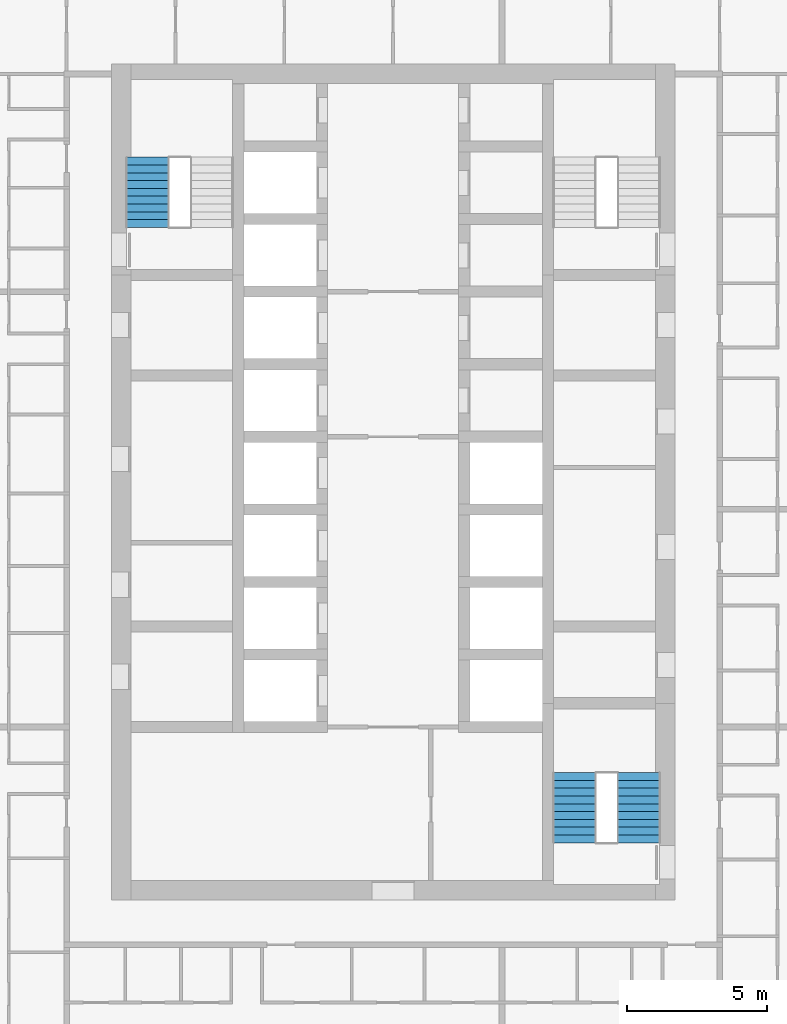
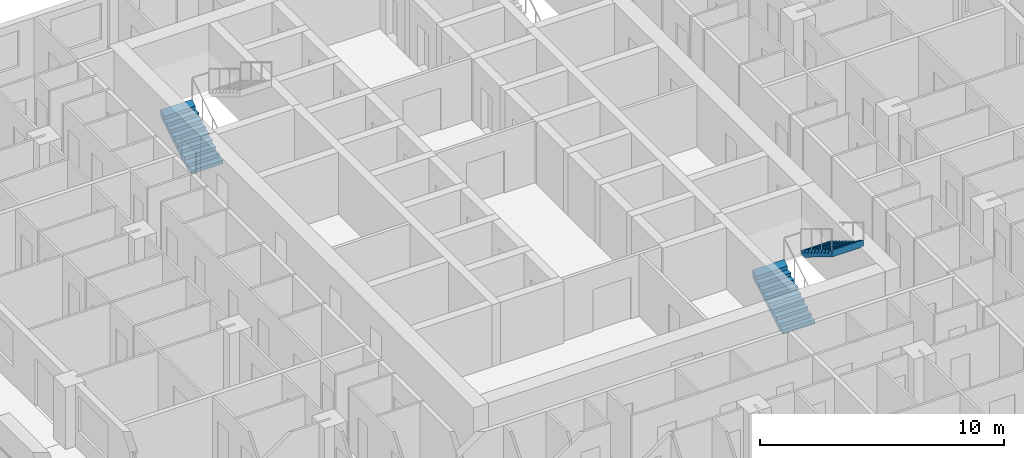
# One storey, part 14 of 17: 3 stair flights, 2 elements without a shape of their own.
"""IFC4 building model written with IfcOpenShell, lengths in metres."""

from ifc_helpers import new_model, si_unit, direction, frame, origin, place, context, subcontext, project, spatial, triangles, material, type_object, element, aggregate, save


model = new_model("IFC4")

# Units and contexts
model_context = context("Model", 3, precision=1e-05, world=origin(), true_north=direction((0.0, 1.0)))
body_context = subcontext(model_context, "Body", "Model", "MODEL_VIEW")
ifc_project = project(units=[si_unit("LENGTHUNIT", "METRE"), si_unit("AREAUNIT", "SQUARE_METRE"), si_unit("VOLUMEUNIT", "CUBIC_METRE"), si_unit("PLANEANGLEUNIT", "RADIAN"), si_unit("MASSUNIT", "GRAM", prefix="KILO")], contexts=[model_context])

# Site, building, storey
site_placement = place(None, origin())
site = spatial("IfcSite", under=ifc_project, at=site_placement, CompositionType="ELEMENT")
building_placement = place(site_placement, origin())
building = spatial("IfcBuilding", under=site, at=building_placement, Name="Ludao Terraces", CompositionType="ELEMENT")
storey_placement = place(building_placement, frame((0.0, 0.0, 92.0)))
storey = spatial("IfcBuildingStorey", under=building, at=storey_placement, Name="L25", CompositionType="ELEMENT", Elevation=92.0)

# Stair, stair flight
ifc_material = material(Name="Concrete C40", Category="concrete")
stair_type = type_object("IfcStairType", Name="INT Stair", PredefinedType="HALF_TURN_STAIR", material=ifc_material)
stair_1_placement = place(storey_placement, origin())
stair_1 = element("IfcStair", 1, at=stair_1_placement, inside=storey, type_object=stair_type, Name="EXIT STAIR 1", PredefinedType="HALF_TURN_STAIR")
stair_flight_type = type_object("IfcStairFlightType", Name="INT Stair flight", PredefinedType="STRAIGHT", material=ifc_material)
stair_flight_1_placement = place(storey_placement, frame((76.199951171875, 79.0, 0.0), z_axis=(0.0, 0.0, 1.0), x_axis=(0.0, 1.0, 0.0)))
stair_flight_1 = element("IfcStairFlight", 2, at=stair_flight_1_placement, type_object=stair_flight_type, Name="ST1 flight 1", NumberOfRisers=10, NumberOfTreads=9, PredefinedType="STRAIGHT", RiserHeight=0.17, TreadLength=0.28, context=body_context, shape_type="Tessellation", body=[
    triangles([(0.0, -0.75, 0.0), (0.0, -0.5, 0.0), (0.0, -0.25, 0.0), (0.0, 0.0, 0.0), (0.0, 0.25, 0.0), (0.0, 0.5, 0.0), (0.0, 0.75, 0.0), (0.0, -0.75, 0.169921875), (0.0, -0.5, 0.169921875), (0.0, -0.25, 0.169921875), (0.0, 0.0, 0.169921875), (0.0, 0.25, 0.169921875), (0.0, 0.5, 0.169921875), (0.0, 0.75, 0.169921875), (0.280029296875, -0.75, 0.169921875), (0.280029296875, -0.5, 0.169921875), (0.280029296875, -0.25, 0.169921875), (0.280029296875, 0.0, 0.169921875), (0.280029296875, 0.25, 0.169921875), (0.280029296875, 0.5, 0.169921875), (0.280029296875, 0.75, 0.169921875), (0.280029296875, -0.75, 0.340087890625), (0.280029296875, -0.5, 0.340087890625), (0.280029296875, -0.25, 0.340087890625), (0.280029296875, 0.0, 0.340087890625), (0.280029296875, 0.25, 0.340087890625), (0.280029296875, 0.5, 0.340087890625), (0.280029296875, 0.75, 0.340087890625), (0.56005859375, -0.75, 0.340087890625), (0.56005859375, -0.5, 0.340087890625), (0.56005859375, -0.25, 0.340087890625), (0.56005859375, 0.0, 0.340087890625), (0.56005859375, 0.25, 0.340087890625), (0.56005859375, 0.5, 0.340087890625), (0.56005859375, 0.75, 0.340087890625), (0.56005859375, -0.75, 0.510009765625), (0.56005859375, -0.5, 0.510009765625), (0.56005859375, -0.25, 0.510009765625), (0.56005859375, 0.0, 0.510009765625), (0.56005859375, 0.25, 0.510009765625), (0.56005859375, 0.5, 0.510009765625), (0.56005859375, 0.75, 0.510009765625), (0.840087890625, -0.75, 0.510009765625), (0.840087890625, -0.5, 0.510009765625), (0.840087890625, -0.25, 0.510009765625), (0.840087890625, 0.0, 0.510009765625), (0.840087890625, 0.25, 0.510009765625), (0.840087890625, 0.5, 0.510009765625), (0.840087890625, 0.75, 0.510009765625), (0.840087890625, -0.75, 0.679931640625), (0.840087890625, -0.5, 0.679931640625), (0.840087890625, -0.25, 0.679931640625), (0.840087890625, 0.0, 0.679931640625), (0.840087890625, 0.25, 0.679931640625), (0.840087890625, 0.5, 0.679931640625), (0.840087890625, 0.75, 0.679931640625), (1.1201171875, -0.75, 0.679931640625), (1.1201171875, -0.5, 0.679931640625), (1.1201171875, -0.25, 0.679931640625), (1.1201171875, 0.0, 0.679931640625), (1.1201171875, 0.25, 0.679931640625), (1.1201171875, 0.5, 0.679931640625), (1.1201171875, 0.75, 0.679931640625), (1.1201171875, -0.75, 0.85009765625), (1.1201171875, -0.5, 0.85009765625), (1.1201171875, -0.25, 0.85009765625), (1.1201171875, 0.0, 0.85009765625), (1.1201171875, 0.25, 0.85009765625), (1.1201171875, 0.5, 0.85009765625), (1.1201171875, 0.75, 0.85009765625), (1.39990234375, -0.75, 0.85009765625), (1.39990234375, -0.5, 0.85009765625), (1.39990234375, -0.25, 0.85009765625), (1.39990234375, 0.0, 0.85009765625), (1.39990234375, 0.25, 0.85009765625), (1.39990234375, 0.5, 0.85009765625), (1.39990234375, 0.75, 0.85009765625), (1.39990234375, -0.75, 1.02001953125), (1.39990234375, -0.5, 1.02001953125), (1.39990234375, -0.25, 1.02001953125), (1.39990234375, 0.0, 1.02001953125), (1.39990234375, 0.25, 1.02001953125), (1.39990234375, 0.5, 1.02001953125), (1.39990234375, 0.75, 1.02001953125), (1.679931640625, -0.75, 1.02001953125), (1.679931640625, -0.5, 1.02001953125), (1.679931640625, -0.25, 1.02001953125), (1.679931640625, 0.0, 1.02001953125), (1.679931640625, 0.25, 1.02001953125), (1.679931640625, 0.5, 1.02001953125), (1.679931640625, 0.75, 1.02001953125), (1.679931640625, -0.75, 1.18994140625), (1.679931640625, -0.5, 1.18994140625), (1.679931640625, -0.25, 1.18994140625), (1.679931640625, 0.0, 1.18994140625), (1.679931640625, 0.25, 1.18994140625), (1.679931640625, 0.5, 1.18994140625), (1.679931640625, 0.75, 1.18994140625), (1.9599609375, -0.75, 1.18994140625), (1.9599609375, -0.5, 1.18994140625), (1.9599609375, -0.25, 1.18994140625), (1.9599609375, 0.0, 1.18994140625), (1.9599609375, 0.25, 1.18994140625), (1.9599609375, 0.5, 1.18994140625), (1.9599609375, 0.75, 1.18994140625), (1.9599609375, -0.75, 1.360107421875), (1.9599609375, -0.5, 1.360107421875), (1.9599609375, -0.25, 1.360107421875), (1.9599609375, 0.0, 1.360107421875), (1.9599609375, 0.25, 1.360107421875), (1.9599609375, 0.5, 1.360107421875), (1.9599609375, 0.75, 1.360107421875), (2.239990234375, -0.75, 1.360107421875), (2.239990234375, -0.5, 1.360107421875), (2.239990234375, -0.25, 1.360107421875), (2.239990234375, 0.0, 1.360107421875), (2.239990234375, 0.25, 1.360107421875), (2.239990234375, 0.5, 1.360107421875), (2.239990234375, 0.75, 1.360107421875), (2.239990234375, -0.75, 1.530029296875), (2.239990234375, -0.5, 1.530029296875), (2.239990234375, -0.25, 1.530029296875), (2.239990234375, 0.0, 1.530029296875), (2.239990234375, 0.25, 1.530029296875), (2.239990234375, 0.5, 1.530029296875), (2.239990234375, 0.75, 1.530029296875), (2.52001953125, -0.75, 1.699951171875), (2.52001953125, -0.5, 1.699951171875), (2.52001953125, -0.25, 1.699951171875), (2.52001953125, 0.0, 1.699951171875), (2.52001953125, 0.25, 1.699951171875), (2.52001953125, 0.5, 1.699951171875), (2.52001953125, 0.75, 1.699951171875), (2.52001953125, -0.75, 1.354736328125), (2.52001953125, -0.5, 1.354736328125), (2.52001953125, -0.25, 1.354736328125), (2.52001953125, 0.0, 1.354736328125), (2.52001953125, 0.25, 1.354736328125), (2.52001953125, 0.5, 1.354736328125), (2.52001953125, 0.75, 1.354736328125), (0.288818359375, -0.75, 0.0), (0.288818359375, -0.5, 0.0), (0.288818359375, -0.25, 0.0), (0.288818359375, 0.0, 0.0), (0.288818359375, 0.25, 0.0), (0.288818359375, 0.5, 0.0), (0.288818359375, 0.75, 0.0)], [[1, 141, 134], [7, 140, 147], [134, 127, 120], [140, 126, 133], [134, 120, 113], [140, 119, 126], [134, 113, 106], [140, 112, 119], [134, 106, 99], [140, 105, 112], [99, 92, 85], [105, 91, 98], [134, 99, 85], [140, 91, 105], [85, 78, 71], [91, 77, 84], [134, 85, 71], [140, 77, 91], [71, 64, 57], [77, 63, 70], [134, 71, 57], [140, 63, 77], [57, 50, 43], [63, 49, 56], [134, 57, 43], [140, 49, 63], [43, 36, 29], [49, 35, 42], [134, 43, 29], [140, 35, 49], [29, 22, 15], [35, 21, 28], [134, 29, 15], [140, 21, 35], [1, 134, 15], [7, 21, 140], [15, 8, 1], [21, 7, 14], [1, 9, 2], [1, 8, 9], [2, 10, 3], [2, 9, 10], [3, 11, 4], [3, 10, 11], [4, 12, 5], [4, 11, 12], [5, 13, 6], [5, 12, 13], [6, 14, 7], [6, 13, 14], [8, 16, 9], [8, 15, 16], [9, 17, 10], [9, 16, 17], [10, 18, 11], [10, 17, 18], [11, 19, 12], [11, 18, 19], [12, 20, 13], [12, 19, 20], [13, 21, 14], [13, 20, 21], [15, 23, 16], [15, 22, 23], [16, 24, 17], [16, 23, 24], [17, 25, 18], [17, 24, 25], [18, 26, 19], [18, 25, 26], [19, 27, 20], [19, 26, 27], [20, 28, 21], [20, 27, 28], [22, 30, 23], [22, 29, 30], [23, 31, 24], [23, 30, 31], [24, 32, 25], [24, 31, 32], [25, 33, 26], [25, 32, 33], [26, 34, 27], [26, 33, 34], [27, 35, 28], [27, 34, 35], [29, 37, 30], [29, 36, 37], [30, 38, 31], [30, 37, 38], [31, 39, 32], [31, 38, 39], [32, 40, 33], [32, 39, 40], [33, 41, 34], [33, 40, 41], [34, 42, 35], [34, 41, 42], [36, 44, 37], [36, 43, 44], [37, 45, 38], [37, 44, 45], [38, 46, 39], [38, 45, 46], [39, 47, 40], [39, 46, 47], [40, 48, 41], [40, 47, 48], [41, 49, 42], [41, 48, 49], [43, 51, 44], [43, 50, 51], [44, 52, 45], [44, 51, 52], [45, 53, 46], [45, 52, 53], [46, 54, 47], [46, 53, 54], [47, 55, 48], [47, 54, 55], [48, 56, 49], [48, 55, 56], [50, 58, 51], [50, 57, 58], [51, 59, 52], [51, 58, 59], [52, 60, 53], [52, 59, 60], [53, 61, 54], [53, 60, 61], [54, 62, 55], [54, 61, 62], [55, 63, 56], [55, 62, 63], [57, 65, 58], [57, 64, 65], [58, 66, 59], [58, 65, 66], [59, 67, 60], [59, 66, 67], [60, 68, 61], [60, 67, 68], [61, 69, 62], [61, 68, 69], [62, 70, 63], [62, 69, 70], [64, 72, 65], [64, 71, 72], [65, 73, 66], [65, 72, 73], [66, 74, 67], [66, 73, 74], [67, 75, 68], [67, 74, 75], [68, 76, 69], [68, 75, 76], [69, 77, 70], [69, 76, 77], [71, 79, 72], [71, 78, 79], [72, 80, 73], [72, 79, 80], [73, 81, 74], [73, 80, 81], [74, 82, 75], [74, 81, 82], [75, 83, 76], [75, 82, 83], [76, 84, 77], [76, 83, 84], [78, 86, 79], [78, 85, 86], [79, 87, 80], [79, 86, 87], [80, 88, 81], [80, 87, 88], [81, 89, 82], [81, 88, 89], [82, 90, 83], [82, 89, 90], [83, 91, 84], [83, 90, 91], [85, 93, 86], [85, 92, 93], [86, 94, 87], [86, 93, 94], [87, 95, 88], [87, 94, 95], [88, 96, 89], [88, 95, 96], [89, 97, 90], [89, 96, 97], [90, 98, 91], [90, 97, 98], [92, 100, 93], [92, 99, 100], [93, 101, 94], [93, 100, 101], [94, 102, 95], [94, 101, 102], [95, 103, 96], [95, 102, 103], [96, 104, 97], [96, 103, 104], [97, 105, 98], [97, 104, 105], [99, 107, 100], [99, 106, 107], [100, 108, 101], [100, 107, 108], [101, 109, 102], [101, 108, 109], [102, 110, 103], [102, 109, 110], [103, 111, 104], [103, 110, 111], [104, 112, 105], [104, 111, 112], [106, 114, 107], [106, 113, 114], [107, 115, 108], [107, 114, 115], [108, 116, 109], [108, 115, 116], [109, 117, 110], [109, 116, 117], [110, 118, 111], [110, 117, 118], [111, 119, 112], [111, 118, 119], [113, 121, 114], [113, 120, 121], [114, 122, 115], [114, 121, 122], [115, 123, 116], [115, 122, 123], [116, 124, 117], [116, 123, 124], [117, 125, 118], [117, 124, 125], [118, 126, 119], [118, 125, 126], [120, 128, 121], [120, 127, 128], [121, 129, 122], [121, 128, 129], [122, 130, 123], [122, 129, 130], [123, 131, 124], [123, 130, 131], [124, 132, 125], [124, 131, 132], [125, 133, 126], [125, 132, 133], [127, 135, 128], [127, 134, 135], [128, 136, 129], [128, 135, 136], [129, 137, 130], [129, 136, 137], [130, 138, 131], [130, 137, 138], [131, 139, 132], [131, 138, 139], [132, 140, 133], [132, 139, 140], [134, 142, 135], [134, 141, 142], [135, 143, 136], [135, 142, 143], [136, 144, 137], [136, 143, 144], [137, 145, 138], [137, 144, 145], [138, 146, 139], [138, 145, 146], [139, 147, 140], [139, 146, 147], [141, 2, 142], [141, 1, 2], [142, 3, 143], [142, 2, 3], [143, 4, 144], [143, 3, 4], [144, 5, 145], [144, 4, 5], [145, 6, 146], [145, 5, 6], [146, 7, 147], [146, 6, 7]], closed=True),
])
aggregate(stair_1, [stair_flight_1])

# Stair, stair flights
stair_2_placement = place(storey_placement, origin())
stair_2 = element("IfcStair", 3, at=stair_2_placement, inside=storey, type_object=stair_type, Name="EXIT STAIR 3", PredefinedType="HALF_TURN_STAIR")
stair_flight_2_placement = place(storey_placement, frame((91.5, 56.949951171875, 0.0), z_axis=(0.0, 0.0, 1.0), x_axis=(0.0, 1.0, 0.0)))
stair_flight_2 = element("IfcStairFlight", 4, at=stair_flight_2_placement, type_object=stair_flight_type, Name="ST3 flight 1", NumberOfRisers=10, NumberOfTreads=9, PredefinedType="STRAIGHT", RiserHeight=0.17, TreadLength=0.28, context=body_context, shape_type="Tessellation", body=[
    triangles([(0.0, -0.75, 0.0), (0.0, -0.5, 0.0), (0.0, -0.25, 0.0), (0.0, 0.0, 0.0), (0.0, 0.25, 0.0), (0.0, 0.5, 0.0), (0.0, 0.75, 0.0), (0.0, -0.75, 0.169921875), (0.0, -0.5, 0.169921875), (0.0, -0.25, 0.169921875), (0.0, 0.0, 0.169921875), (0.0, 0.25, 0.169921875), (0.0, 0.5, 0.169921875), (0.0, 0.75, 0.169921875), (0.280029296875, -0.75, 0.169921875), (0.280029296875, -0.5, 0.169921875), (0.280029296875, -0.25, 0.169921875), (0.280029296875, 0.0, 0.169921875), (0.280029296875, 0.25, 0.169921875), (0.280029296875, 0.5, 0.169921875), (0.280029296875, 0.75, 0.169921875), (0.280029296875, -0.75, 0.340087890625), (0.280029296875, -0.5, 0.340087890625), (0.280029296875, -0.25, 0.340087890625), (0.280029296875, 0.0, 0.340087890625), (0.280029296875, 0.25, 0.340087890625), (0.280029296875, 0.5, 0.340087890625), (0.280029296875, 0.75, 0.340087890625), (0.56005859375, -0.75, 0.340087890625), (0.56005859375, -0.5, 0.340087890625), (0.56005859375, -0.25, 0.340087890625), (0.56005859375, 0.0, 0.340087890625), (0.56005859375, 0.25, 0.340087890625), (0.56005859375, 0.5, 0.340087890625), (0.56005859375, 0.75, 0.340087890625), (0.56005859375, -0.75, 0.510009765625), (0.56005859375, -0.5, 0.510009765625), (0.56005859375, -0.25, 0.510009765625), (0.56005859375, 0.0, 0.510009765625), (0.56005859375, 0.25, 0.510009765625), (0.56005859375, 0.5, 0.510009765625), (0.56005859375, 0.75, 0.510009765625), (0.840087890625, -0.75, 0.510009765625), (0.840087890625, -0.5, 0.510009765625), (0.840087890625, -0.25, 0.510009765625), (0.840087890625, 0.0, 0.510009765625), (0.840087890625, 0.25, 0.510009765625), (0.840087890625, 0.5, 0.510009765625), (0.840087890625, 0.75, 0.510009765625), (0.840087890625, -0.75, 0.679931640625), (0.840087890625, -0.5, 0.679931640625), (0.840087890625, -0.25, 0.679931640625), (0.840087890625, 0.0, 0.679931640625), (0.840087890625, 0.25, 0.679931640625), (0.840087890625, 0.5, 0.679931640625), (0.840087890625, 0.75, 0.679931640625), (1.1201171875, -0.75, 0.679931640625), (1.1201171875, -0.5, 0.679931640625), (1.1201171875, -0.25, 0.679931640625), (1.1201171875, 0.0, 0.679931640625), (1.1201171875, 0.25, 0.679931640625), (1.1201171875, 0.5, 0.679931640625), (1.1201171875, 0.75, 0.679931640625), (1.1201171875, -0.75, 0.85009765625), (1.1201171875, -0.5, 0.85009765625), (1.1201171875, -0.25, 0.85009765625), (1.1201171875, 0.0, 0.85009765625), (1.1201171875, 0.25, 0.85009765625), (1.1201171875, 0.5, 0.85009765625), (1.1201171875, 0.75, 0.85009765625), (1.39990234375, -0.75, 0.85009765625), (1.39990234375, -0.5, 0.85009765625), (1.39990234375, -0.25, 0.85009765625), (1.39990234375, 0.0, 0.85009765625), (1.39990234375, 0.25, 0.85009765625), (1.39990234375, 0.5, 0.85009765625), (1.39990234375, 0.75, 0.85009765625), (1.39990234375, -0.75, 1.02001953125), (1.39990234375, -0.5, 1.02001953125), (1.39990234375, -0.25, 1.02001953125), (1.39990234375, 0.0, 1.02001953125), (1.39990234375, 0.25, 1.02001953125), (1.39990234375, 0.5, 1.02001953125), (1.39990234375, 0.75, 1.02001953125), (1.679931640625, -0.75, 1.02001953125), (1.679931640625, -0.5, 1.02001953125), (1.679931640625, -0.25, 1.02001953125), (1.679931640625, 0.0, 1.02001953125), (1.679931640625, 0.25, 1.02001953125), (1.679931640625, 0.5, 1.02001953125), (1.679931640625, 0.75, 1.02001953125), (1.679931640625, -0.75, 1.18994140625), (1.679931640625, -0.5, 1.18994140625), (1.679931640625, -0.25, 1.18994140625), (1.679931640625, 0.0, 1.18994140625), (1.679931640625, 0.25, 1.18994140625), (1.679931640625, 0.5, 1.18994140625), (1.679931640625, 0.75, 1.18994140625), (1.9599609375, -0.75, 1.18994140625), (1.9599609375, -0.5, 1.18994140625), (1.9599609375, -0.25, 1.18994140625), (1.9599609375, 0.0, 1.18994140625), (1.9599609375, 0.25, 1.18994140625), (1.9599609375, 0.5, 1.18994140625), (1.9599609375, 0.75, 1.18994140625), (1.9599609375, -0.75, 1.360107421875), (1.9599609375, -0.5, 1.360107421875), (1.9599609375, -0.25, 1.360107421875), (1.9599609375, 0.0, 1.360107421875), (1.9599609375, 0.25, 1.360107421875), (1.9599609375, 0.5, 1.360107421875), (1.9599609375, 0.75, 1.360107421875), (2.239990234375, -0.75, 1.360107421875), (2.239990234375, -0.5, 1.360107421875), (2.239990234375, -0.25, 1.360107421875), (2.239990234375, 0.0, 1.360107421875), (2.239990234375, 0.25, 1.360107421875), (2.239990234375, 0.5, 1.360107421875), (2.239990234375, 0.75, 1.360107421875), (2.239990234375, -0.75, 1.530029296875), (2.239990234375, -0.5, 1.530029296875), (2.239990234375, -0.25, 1.530029296875), (2.239990234375, 0.0, 1.530029296875), (2.239990234375, 0.25, 1.530029296875), (2.239990234375, 0.5, 1.530029296875), (2.239990234375, 0.75, 1.530029296875), (2.52001953125, -0.75, 1.699951171875), (2.52001953125, -0.5, 1.699951171875), (2.52001953125, -0.25, 1.699951171875), (2.52001953125, 0.0, 1.699951171875), (2.52001953125, 0.25, 1.699951171875), (2.52001953125, 0.5, 1.699951171875), (2.52001953125, 0.75, 1.699951171875), (2.52001953125, -0.75, 1.354736328125), (2.52001953125, -0.5, 1.354736328125), (2.52001953125, -0.25, 1.354736328125), (2.52001953125, 0.0, 1.354736328125), (2.52001953125, 0.25, 1.354736328125), (2.52001953125, 0.5, 1.354736328125), (2.52001953125, 0.75, 1.354736328125), (0.288818359375, -0.75, 0.0), (0.288818359375, -0.5, 0.0), (0.288818359375, -0.25, 0.0), (0.288818359375, 0.0, 0.0), (0.288818359375, 0.25, 0.0), (0.288818359375, 0.5, 0.0), (0.288818359375, 0.75, 0.0)], [[1, 141, 134], [7, 140, 147], [134, 127, 120], [140, 126, 133], [134, 120, 113], [140, 119, 126], [134, 113, 106], [140, 112, 119], [134, 106, 99], [140, 105, 112], [99, 92, 85], [105, 91, 98], [134, 99, 85], [140, 91, 105], [85, 78, 71], [91, 77, 84], [134, 85, 71], [140, 77, 91], [71, 64, 57], [77, 63, 70], [134, 71, 57], [140, 63, 77], [57, 50, 43], [63, 49, 56], [134, 57, 43], [140, 49, 63], [43, 36, 29], [49, 35, 42], [134, 43, 29], [140, 35, 49], [29, 22, 15], [35, 21, 28], [134, 29, 15], [140, 21, 35], [1, 134, 15], [7, 21, 140], [15, 8, 1], [21, 7, 14], [1, 9, 2], [1, 8, 9], [2, 10, 3], [2, 9, 10], [3, 11, 4], [3, 10, 11], [4, 12, 5], [4, 11, 12], [5, 13, 6], [5, 12, 13], [6, 14, 7], [6, 13, 14], [8, 16, 9], [8, 15, 16], [9, 17, 10], [9, 16, 17], [10, 18, 11], [10, 17, 18], [11, 19, 12], [11, 18, 19], [12, 20, 13], [12, 19, 20], [13, 21, 14], [13, 20, 21], [15, 23, 16], [15, 22, 23], [16, 24, 17], [16, 23, 24], [17, 25, 18], [17, 24, 25], [18, 26, 19], [18, 25, 26], [19, 27, 20], [19, 26, 27], [20, 28, 21], [20, 27, 28], [22, 30, 23], [22, 29, 30], [23, 31, 24], [23, 30, 31], [24, 32, 25], [24, 31, 32], [25, 33, 26], [25, 32, 33], [26, 34, 27], [26, 33, 34], [27, 35, 28], [27, 34, 35], [29, 37, 30], [29, 36, 37], [30, 38, 31], [30, 37, 38], [31, 39, 32], [31, 38, 39], [32, 40, 33], [32, 39, 40], [33, 41, 34], [33, 40, 41], [34, 42, 35], [34, 41, 42], [36, 44, 37], [36, 43, 44], [37, 45, 38], [37, 44, 45], [38, 46, 39], [38, 45, 46], [39, 47, 40], [39, 46, 47], [40, 48, 41], [40, 47, 48], [41, 49, 42], [41, 48, 49], [43, 51, 44], [43, 50, 51], [44, 52, 45], [44, 51, 52], [45, 53, 46], [45, 52, 53], [46, 54, 47], [46, 53, 54], [47, 55, 48], [47, 54, 55], [48, 56, 49], [48, 55, 56], [50, 58, 51], [50, 57, 58], [51, 59, 52], [51, 58, 59], [52, 60, 53], [52, 59, 60], [53, 61, 54], [53, 60, 61], [54, 62, 55], [54, 61, 62], [55, 63, 56], [55, 62, 63], [57, 65, 58], [57, 64, 65], [58, 66, 59], [58, 65, 66], [59, 67, 60], [59, 66, 67], [60, 68, 61], [60, 67, 68], [61, 69, 62], [61, 68, 69], [62, 70, 63], [62, 69, 70], [64, 72, 65], [64, 71, 72], [65, 73, 66], [65, 72, 73], [66, 74, 67], [66, 73, 74], [67, 75, 68], [67, 74, 75], [68, 76, 69], [68, 75, 76], [69, 77, 70], [69, 76, 77], [71, 79, 72], [71, 78, 79], [72, 80, 73], [72, 79, 80], [73, 81, 74], [73, 80, 81], [74, 82, 75], [74, 81, 82], [75, 83, 76], [75, 82, 83], [76, 84, 77], [76, 83, 84], [78, 86, 79], [78, 85, 86], [79, 87, 80], [79, 86, 87], [80, 88, 81], [80, 87, 88], [81, 89, 82], [81, 88, 89], [82, 90, 83], [82, 89, 90], [83, 91, 84], [83, 90, 91], [85, 93, 86], [85, 92, 93], [86, 94, 87], [86, 93, 94], [87, 95, 88], [87, 94, 95], [88, 96, 89], [88, 95, 96], [89, 97, 90], [89, 96, 97], [90, 98, 91], [90, 97, 98], [92, 100, 93], [92, 99, 100], [93, 101, 94], [93, 100, 101], [94, 102, 95], [94, 101, 102], [95, 103, 96], [95, 102, 103], [96, 104, 97], [96, 103, 104], [97, 105, 98], [97, 104, 105], [99, 107, 100], [99, 106, 107], [100, 108, 101], [100, 107, 108], [101, 109, 102], [101, 108, 109], [102, 110, 103], [102, 109, 110], [103, 111, 104], [103, 110, 111], [104, 112, 105], [104, 111, 112], [106, 114, 107], [106, 113, 114], [107, 115, 108], [107, 114, 115], [108, 116, 109], [108, 115, 116], [109, 117, 110], [109, 116, 117], [110, 118, 111], [110, 117, 118], [111, 119, 112], [111, 118, 119], [113, 121, 114], [113, 120, 121], [114, 122, 115], [114, 121, 122], [115, 123, 116], [115, 122, 123], [116, 124, 117], [116, 123, 124], [117, 125, 118], [117, 124, 125], [118, 126, 119], [118, 125, 126], [120, 128, 121], [120, 127, 128], [121, 129, 122], [121, 128, 129], [122, 130, 123], [122, 129, 130], [123, 131, 124], [123, 130, 131], [124, 132, 125], [124, 131, 132], [125, 133, 126], [125, 132, 133], [127, 135, 128], [127, 134, 135], [128, 136, 129], [128, 135, 136], [129, 137, 130], [129, 136, 137], [130, 138, 131], [130, 137, 138], [131, 139, 132], [131, 138, 139], [132, 140, 133], [132, 139, 140], [134, 142, 135], [134, 141, 142], [135, 143, 136], [135, 142, 143], [136, 144, 137], [136, 143, 144], [137, 145, 138], [137, 144, 145], [138, 146, 139], [138, 145, 146], [139, 147, 140], [139, 146, 147], [141, 2, 142], [141, 1, 2], [142, 3, 143], [142, 2, 3], [143, 4, 144], [143, 3, 4], [144, 5, 145], [144, 4, 5], [145, 6, 146], [145, 5, 6], [146, 7, 147], [146, 6, 7]], closed=True),
])
stair_flight_3_placement = place(storey_placement, frame((93.800048828125, 59.469970703125, 1.699951171875), z_axis=(0.0, 0.0, 1.0), x_axis=(0.0, -1.0, 0.0)))
stair_flight_3 = element("IfcStairFlight", 5, at=stair_flight_3_placement, type_object=stair_flight_type, Name="ST3 flight 2", NumberOfRisers=10, NumberOfTreads=9, PredefinedType="STRAIGHT", RiserHeight=0.17, TreadLength=0.28, context=body_context, shape_type="Tessellation", body=[
    triangles([(0.0, -0.75, 0.0), (0.0, -0.5, 0.0), (0.0, -0.25, 0.0), (0.0, 0.0, 0.0), (0.0, 0.25, 0.0), (0.0, 0.5, 0.0), (0.0, 0.75, 0.0), (0.0, -0.75, 0.169921875), (0.0, -0.5, 0.169921875), (0.0, -0.25, 0.169921875), (0.0, 0.0, 0.169921875), (0.0, 0.25, 0.169921875), (0.0, 0.5, 0.169921875), (0.0, 0.75, 0.169921875), (0.280029296875, -0.75, 0.169921875), (0.280029296875, -0.5, 0.169921875), (0.280029296875, -0.25, 0.169921875), (0.280029296875, 0.0, 0.169921875), (0.280029296875, 0.25, 0.169921875), (0.280029296875, 0.5, 0.169921875), (0.280029296875, 0.75, 0.169921875), (0.280029296875, -0.75, 0.340087890625), (0.280029296875, -0.5, 0.340087890625), (0.280029296875, -0.25, 0.340087890625), (0.280029296875, 0.0, 0.340087890625), (0.280029296875, 0.25, 0.340087890625), (0.280029296875, 0.5, 0.340087890625), (0.280029296875, 0.75, 0.340087890625), (0.56005859375, -0.75, 0.340087890625), (0.56005859375, -0.5, 0.340087890625), (0.56005859375, -0.25, 0.340087890625), (0.56005859375, 0.0, 0.340087890625), (0.56005859375, 0.25, 0.340087890625), (0.56005859375, 0.5, 0.340087890625), (0.56005859375, 0.75, 0.340087890625), (0.56005859375, -0.75, 0.510009765625), (0.56005859375, -0.5, 0.510009765625), (0.56005859375, -0.25, 0.510009765625), (0.56005859375, 0.0, 0.510009765625), (0.56005859375, 0.25, 0.510009765625), (0.56005859375, 0.5, 0.510009765625), (0.56005859375, 0.75, 0.510009765625), (0.840087890625, -0.75, 0.510009765625), (0.840087890625, -0.5, 0.510009765625), (0.840087890625, -0.25, 0.510009765625), (0.840087890625, 0.0, 0.510009765625), (0.840087890625, 0.25, 0.510009765625), (0.840087890625, 0.5, 0.510009765625), (0.840087890625, 0.75, 0.510009765625), (0.840087890625, -0.75, 0.679931640625), (0.840087890625, -0.5, 0.679931640625), (0.840087890625, -0.25, 0.679931640625), (0.840087890625, 0.0, 0.679931640625), (0.840087890625, 0.25, 0.679931640625), (0.840087890625, 0.5, 0.679931640625), (0.840087890625, 0.75, 0.679931640625), (1.1201171875, -0.75, 0.679931640625), (1.1201171875, -0.5, 0.679931640625), (1.1201171875, -0.25, 0.679931640625), (1.1201171875, 0.0, 0.679931640625), (1.1201171875, 0.25, 0.679931640625), (1.1201171875, 0.5, 0.679931640625), (1.1201171875, 0.75, 0.679931640625), (1.1201171875, -0.75, 0.85009765625), (1.1201171875, -0.5, 0.85009765625), (1.1201171875, -0.25, 0.85009765625), (1.1201171875, 0.0, 0.85009765625), (1.1201171875, 0.25, 0.85009765625), (1.1201171875, 0.5, 0.85009765625), (1.1201171875, 0.75, 0.85009765625), (1.39990234375, -0.75, 0.85009765625), (1.39990234375, -0.5, 0.85009765625), (1.39990234375, -0.25, 0.85009765625), (1.39990234375, 0.0, 0.85009765625), (1.39990234375, 0.25, 0.85009765625), (1.39990234375, 0.5, 0.85009765625), (1.39990234375, 0.75, 0.85009765625), (1.39990234375, -0.75, 1.02001953125), (1.39990234375, -0.5, 1.02001953125), (1.39990234375, -0.25, 1.02001953125), (1.39990234375, 0.0, 1.02001953125), (1.39990234375, 0.25, 1.02001953125), (1.39990234375, 0.5, 1.02001953125), (1.39990234375, 0.75, 1.02001953125), (1.679931640625, -0.75, 1.02001953125), (1.679931640625, -0.5, 1.02001953125), (1.679931640625, -0.25, 1.02001953125), (1.679931640625, 0.0, 1.02001953125), (1.679931640625, 0.25, 1.02001953125), (1.679931640625, 0.5, 1.02001953125), (1.679931640625, 0.75, 1.02001953125), (1.679931640625, -0.75, 1.18994140625), (1.679931640625, -0.5, 1.18994140625), (1.679931640625, -0.25, 1.18994140625), (1.679931640625, 0.0, 1.18994140625), (1.679931640625, 0.25, 1.18994140625), (1.679931640625, 0.5, 1.18994140625), (1.679931640625, 0.75, 1.18994140625), (1.9599609375, -0.75, 1.18994140625), (1.9599609375, -0.5, 1.18994140625), (1.9599609375, -0.25, 1.18994140625), (1.9599609375, 0.0, 1.18994140625), (1.9599609375, 0.25, 1.18994140625), (1.9599609375, 0.5, 1.18994140625), (1.9599609375, 0.75, 1.18994140625), (1.9599609375, -0.75, 1.360107421875), (1.9599609375, -0.5, 1.360107421875), (1.9599609375, -0.25, 1.360107421875), (1.9599609375, 0.0, 1.360107421875), (1.9599609375, 0.25, 1.360107421875), (1.9599609375, 0.5, 1.360107421875), (1.9599609375, 0.75, 1.360107421875), (2.239990234375, -0.75, 1.360107421875), (2.239990234375, -0.5, 1.360107421875), (2.239990234375, -0.25, 1.360107421875), (2.239990234375, 0.0, 1.360107421875), (2.239990234375, 0.25, 1.360107421875), (2.239990234375, 0.5, 1.360107421875), (2.239990234375, 0.75, 1.360107421875), (2.239990234375, -0.75, 1.530029296875), (2.239990234375, -0.5, 1.530029296875), (2.239990234375, -0.25, 1.530029296875), (2.239990234375, 0.0, 1.530029296875), (2.239990234375, 0.25, 1.530029296875), (2.239990234375, 0.5, 1.530029296875), (2.239990234375, 0.75, 1.530029296875), (2.52001953125, -0.75, 1.699951171875), (2.52001953125, -0.5, 1.699951171875), (2.52001953125, -0.25, 1.699951171875), (2.52001953125, 0.0, 1.699951171875), (2.52001953125, 0.25, 1.699951171875), (2.52001953125, 0.5, 1.699951171875), (2.52001953125, 0.75, 1.699951171875), (2.52001953125, -0.75, 1.354736328125), (2.52001953125, -0.5, 1.354736328125), (2.52001953125, -0.25, 1.354736328125), (2.52001953125, 0.0, 1.354736328125), (2.52001953125, 0.25, 1.354736328125), (2.52001953125, 0.5, 1.354736328125), (2.52001953125, 0.75, 1.354736328125), (0.288818359375, -0.75, 0.0), (0.288818359375, -0.5, 0.0), (0.288818359375, -0.25, 0.0), (0.288818359375, 0.0, 0.0), (0.288818359375, 0.25, 0.0), (0.288818359375, 0.5, 0.0), (0.288818359375, 0.75, 0.0)], [[1, 141, 134], [7, 140, 147], [134, 127, 120], [140, 126, 133], [134, 120, 113], [140, 119, 126], [134, 113, 106], [140, 112, 119], [134, 106, 99], [140, 105, 112], [99, 92, 85], [105, 91, 98], [134, 99, 85], [140, 91, 105], [85, 78, 71], [91, 77, 84], [134, 85, 71], [140, 77, 91], [71, 64, 57], [77, 63, 70], [134, 71, 57], [140, 63, 77], [57, 50, 43], [63, 49, 56], [134, 57, 43], [140, 49, 63], [43, 36, 29], [49, 35, 42], [134, 43, 29], [140, 35, 49], [29, 22, 15], [35, 21, 28], [134, 29, 15], [140, 21, 35], [1, 134, 15], [7, 21, 140], [15, 8, 1], [21, 7, 14], [1, 9, 2], [1, 8, 9], [2, 10, 3], [2, 9, 10], [3, 11, 4], [3, 10, 11], [4, 12, 5], [4, 11, 12], [5, 13, 6], [5, 12, 13], [6, 14, 7], [6, 13, 14], [8, 16, 9], [8, 15, 16], [9, 17, 10], [9, 16, 17], [10, 18, 11], [10, 17, 18], [11, 19, 12], [11, 18, 19], [12, 20, 13], [12, 19, 20], [13, 21, 14], [13, 20, 21], [15, 23, 16], [15, 22, 23], [16, 24, 17], [16, 23, 24], [17, 25, 18], [17, 24, 25], [18, 26, 19], [18, 25, 26], [19, 27, 20], [19, 26, 27], [20, 28, 21], [20, 27, 28], [22, 30, 23], [22, 29, 30], [23, 31, 24], [23, 30, 31], [24, 32, 25], [24, 31, 32], [25, 33, 26], [25, 32, 33], [26, 34, 27], [26, 33, 34], [27, 35, 28], [27, 34, 35], [29, 37, 30], [29, 36, 37], [30, 38, 31], [30, 37, 38], [31, 39, 32], [31, 38, 39], [32, 40, 33], [32, 39, 40], [33, 41, 34], [33, 40, 41], [34, 42, 35], [34, 41, 42], [36, 44, 37], [36, 43, 44], [37, 45, 38], [37, 44, 45], [38, 46, 39], [38, 45, 46], [39, 47, 40], [39, 46, 47], [40, 48, 41], [40, 47, 48], [41, 49, 42], [41, 48, 49], [43, 51, 44], [43, 50, 51], [44, 52, 45], [44, 51, 52], [45, 53, 46], [45, 52, 53], [46, 54, 47], [46, 53, 54], [47, 55, 48], [47, 54, 55], [48, 56, 49], [48, 55, 56], [50, 58, 51], [50, 57, 58], [51, 59, 52], [51, 58, 59], [52, 60, 53], [52, 59, 60], [53, 61, 54], [53, 60, 61], [54, 62, 55], [54, 61, 62], [55, 63, 56], [55, 62, 63], [57, 65, 58], [57, 64, 65], [58, 66, 59], [58, 65, 66], [59, 67, 60], [59, 66, 67], [60, 68, 61], [60, 67, 68], [61, 69, 62], [61, 68, 69], [62, 70, 63], [62, 69, 70], [64, 72, 65], [64, 71, 72], [65, 73, 66], [65, 72, 73], [66, 74, 67], [66, 73, 74], [67, 75, 68], [67, 74, 75], [68, 76, 69], [68, 75, 76], [69, 77, 70], [69, 76, 77], [71, 79, 72], [71, 78, 79], [72, 80, 73], [72, 79, 80], [73, 81, 74], [73, 80, 81], [74, 82, 75], [74, 81, 82], [75, 83, 76], [75, 82, 83], [76, 84, 77], [76, 83, 84], [78, 86, 79], [78, 85, 86], [79, 87, 80], [79, 86, 87], [80, 88, 81], [80, 87, 88], [81, 89, 82], [81, 88, 89], [82, 90, 83], [82, 89, 90], [83, 91, 84], [83, 90, 91], [85, 93, 86], [85, 92, 93], [86, 94, 87], [86, 93, 94], [87, 95, 88], [87, 94, 95], [88, 96, 89], [88, 95, 96], [89, 97, 90], [89, 96, 97], [90, 98, 91], [90, 97, 98], [92, 100, 93], [92, 99, 100], [93, 101, 94], [93, 100, 101], [94, 102, 95], [94, 101, 102], [95, 103, 96], [95, 102, 103], [96, 104, 97], [96, 103, 104], [97, 105, 98], [97, 104, 105], [99, 107, 100], [99, 106, 107], [100, 108, 101], [100, 107, 108], [101, 109, 102], [101, 108, 109], [102, 110, 103], [102, 109, 110], [103, 111, 104], [103, 110, 111], [104, 112, 105], [104, 111, 112], [106, 114, 107], [106, 113, 114], [107, 115, 108], [107, 114, 115], [108, 116, 109], [108, 115, 116], [109, 117, 110], [109, 116, 117], [110, 118, 111], [110, 117, 118], [111, 119, 112], [111, 118, 119], [113, 121, 114], [113, 120, 121], [114, 122, 115], [114, 121, 122], [115, 123, 116], [115, 122, 123], [116, 124, 117], [116, 123, 124], [117, 125, 118], [117, 124, 125], [118, 126, 119], [118, 125, 126], [120, 128, 121], [120, 127, 128], [121, 129, 122], [121, 128, 129], [122, 130, 123], [122, 129, 130], [123, 131, 124], [123, 130, 131], [124, 132, 125], [124, 131, 132], [125, 133, 126], [125, 132, 133], [127, 135, 128], [127, 134, 135], [128, 136, 129], [128, 135, 136], [129, 137, 130], [129, 136, 137], [130, 138, 131], [130, 137, 138], [131, 139, 132], [131, 138, 139], [132, 140, 133], [132, 139, 140], [134, 142, 135], [134, 141, 142], [135, 143, 136], [135, 142, 143], [136, 144, 137], [136, 143, 144], [137, 145, 138], [137, 144, 145], [138, 146, 139], [138, 145, 146], [139, 147, 140], [139, 146, 147], [141, 2, 142], [141, 1, 2], [142, 3, 143], [142, 2, 3], [143, 4, 144], [143, 3, 4], [144, 5, 145], [144, 4, 5], [145, 6, 146], [145, 5, 6], [146, 7, 147], [146, 6, 7]], closed=True),
])
aggregate(stair_2, [stair_flight_2, stair_flight_3])

save(model, "model.ifc")
